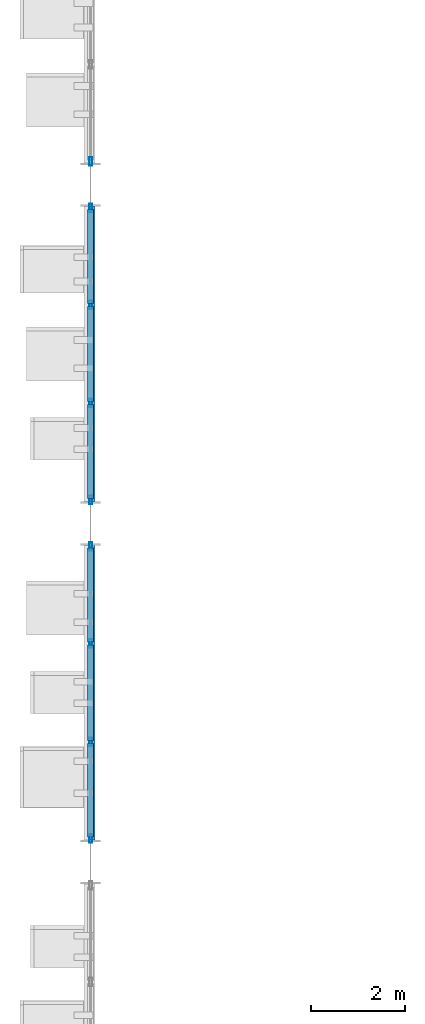
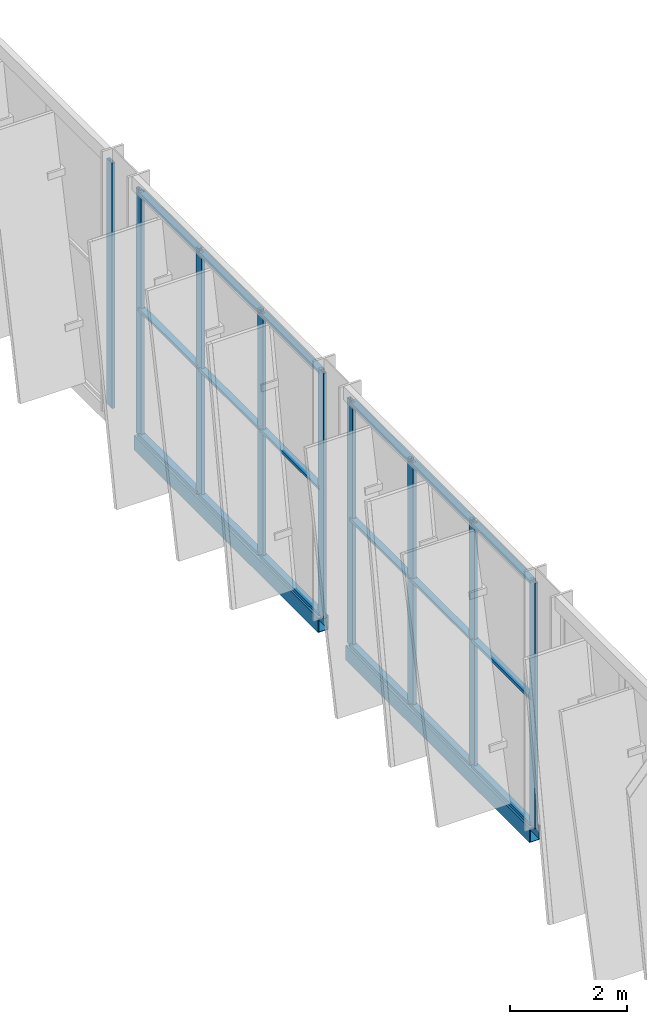
# One storey, part 33 of 189: 27 members, 2 beams, 3 elements without a shape of their own.
"""IFC4 building model written with IfcOpenShell, lengths in metres."""

from ifc_helpers import new_model, si_unit, direction, frame, origin, origin_2d, place, context, subcontext, project, spatial, hollow_rectangle, extrude, material, layer, layer_set, material_profile, profile_set, type_object, element, aggregate, save


model = new_model("IFC4")

# Units and contexts
model_context = context("Model", 3, precision=1e-05, world=origin(), true_north=direction((0.0, 1.0)))
body_context = subcontext(model_context, "Body", "Model", "MODEL_VIEW")
ifc_project = project(units=[si_unit("LENGTHUNIT", "METRE"), si_unit("AREAUNIT", "SQUARE_METRE"), si_unit("VOLUMEUNIT", "CUBIC_METRE"), si_unit("PLANEANGLEUNIT", "RADIAN"), si_unit("MASSUNIT", "GRAM", prefix="KILO")], contexts=[model_context])

# Site, building, storey
site_placement = place(None, origin())
site = spatial("IfcSite", under=ifc_project, at=site_placement, CompositionType="ELEMENT")
building_placement = place(site_placement, origin())
building = spatial("IfcBuilding", under=site, at=building_placement, Name="Celestram Park Convention Centre", CompositionType="ELEMENT")
storey_placement = place(building_placement, frame((0.0, 0.0, 5.39990234375)))
storey = spatial("IfcBuildingStorey", under=building, at=storey_placement, Name="L01", CompositionType="ELEMENT", Elevation=5.39990234375)

# Curtain wall, members
ifc_material_1 = material(Name="Anodised Aluminium Alloy 6063-T6", Category="aluminium")
ifc_layer = layer(ifc_material_1, 0.179931640625)
ifc_layer_set = layer_set([ifc_layer], Name="Anodised Aluminium Alloy 6063-T6")
curtain_wall_type = type_object("IfcCurtainWallType", Name="ARC-CW-627X510", PredefinedType="NOTDEFINED", material=ifc_layer_set)
curtain_wall_1_placement = place(storey_placement, origin())
curtain_wall_1 = element("IfcCurtainWall", 1, at=curtain_wall_1_placement, inside=storey, type_object=curtain_wall_type, Name="Unitised curtain wall CU-L01-120", PredefinedType="NOTDEFINED")
ifc_material_profile_1 = material_profile(ifc_material_1, hollow_rectangle(XDim=0.06494140625, YDim=0.179931640625, WallThickness=0.00390625, at=origin_2d()), Name="ALU65X180X4")
ifc_profile_set_1 = profile_set([ifc_material_profile_1], Name="Anodised Aluminium Alloy 6063-T6")
member_type_1 = type_object("IfcMemberType", Name="ARC-CWM-150", PredefinedType="MULLION", material=ifc_profile_set_1)
member_1_placement = place(storey_placement, frame((0.0, 79.696533203125, 0.0), z_axis=(0.0, 0.0, 1.0), x_axis=(-1.0, 0.0, 0.0)))
member_1 = element("IfcMember", 2, at=member_1_placement, type_object=member_type_1, Name="CW-62X51 mullion 1", PredefinedType="MULLION", context=body_context, shape_type="SweptSolid", body=[
    extrude(hollow_rectangle(XDim=0.06494140625, YDim=0.179931640625, WallThickness=0.00390625, at=origin_2d()), origin(), (0.0, 0.0, 1.0), 5.10009765625),
])
member_2_placement = place(storey_placement, frame((0.0, 81.754638671875, 0.0), z_axis=(0.0, 0.0, 1.0), x_axis=(-1.0, 0.0, 0.0)))
member_2 = element("IfcMember", 3, at=member_2_placement, type_object=member_type_1, Name="CW-62X51 mullion 2", PredefinedType="MULLION", context=body_context, shape_type="SweptSolid", body=[
    extrude(hollow_rectangle(XDim=0.06494140625, YDim=0.179931640625, WallThickness=0.00390625, at=origin_2d()), origin(), (0.0, 0.0, 1.0), 5.10009765625),
])
member_3_placement = place(storey_placement, frame((0.0, 83.84521484375, 0.0), z_axis=(0.0, 0.0, 1.0), x_axis=(-1.0, 0.0, 0.0)))
member_3 = element("IfcMember", 4, at=member_3_placement, type_object=member_type_1, Name="CW-62X51 mullion 3", PredefinedType="MULLION", context=body_context, shape_type="SweptSolid", body=[
    extrude(hollow_rectangle(XDim=0.06494140625, YDim=0.179931640625, WallThickness=0.00390625, at=origin_2d()), origin(), (0.0, 0.0, 1.0), 5.10009765625),
])
member_4_placement = place(storey_placement, frame((0.0, 85.903564453125, 0.0), z_axis=(0.0, 0.0, 1.0), x_axis=(-1.0, 0.0, 0.0)))
member_4 = element("IfcMember", 5, at=member_4_placement, type_object=member_type_1, Name="CW-62X51 mullion 4", PredefinedType="MULLION", context=body_context, shape_type="SweptSolid", body=[
    extrude(hollow_rectangle(XDim=0.06494140625, YDim=0.179931640625, WallThickness=0.00390625, at=origin_2d()), origin(), (0.0, 0.0, 1.0), 5.10009765625),
])

curtain_wall_2_placement = place(storey_placement, origin())
curtain_wall_2 = element("IfcCurtainWall", 6, at=curtain_wall_2_placement, inside=storey, type_object=curtain_wall_type, Name="Unitised curtain wall CU-L01-121", PredefinedType="NOTDEFINED")
member_5_placement = place(storey_placement, frame((0.0, 86.896484375, 0.0), z_axis=(0.0, 0.0, 1.0), x_axis=(-1.0, 0.0, 0.0)))
member_5 = element("IfcMember", 7, at=member_5_placement, type_object=member_type_1, Name="CW-62X51 mullion 1", PredefinedType="MULLION", context=body_context, shape_type="SweptSolid", body=[
    extrude(hollow_rectangle(XDim=0.06494140625, YDim=0.179931640625, WallThickness=0.00390625, at=origin_2d()), origin(), (0.0, 0.0, 1.0), 5.10009765625),
])
member_6_placement = place(storey_placement, frame((0.0, 88.95458984375, 0.0), z_axis=(0.0, 0.0, 1.0), x_axis=(-1.0, 0.0, 0.0)))
member_6 = element("IfcMember", 8, at=member_6_placement, type_object=member_type_1, Name="CW-62X51 mullion 2", PredefinedType="MULLION", context=body_context, shape_type="SweptSolid", body=[
    extrude(hollow_rectangle(XDim=0.06494140625, YDim=0.179931640625, WallThickness=0.00390625, at=origin_2d()), origin(), (0.0, 0.0, 1.0), 5.10009765625),
])
member_7_placement = place(storey_placement, frame((0.0, 91.04541015625, 0.0), z_axis=(0.0, 0.0, 1.0), x_axis=(-1.0, 0.0, 0.0)))
member_7 = element("IfcMember", 9, at=member_7_placement, type_object=member_type_1, Name="CW-62X51 mullion 3", PredefinedType="MULLION", context=body_context, shape_type="SweptSolid", body=[
    extrude(hollow_rectangle(XDim=0.06494140625, YDim=0.179931640625, WallThickness=0.00390625, at=origin_2d()), origin(), (0.0, 0.0, 1.0), 5.10009765625),
])
member_8_placement = place(storey_placement, frame((0.0, 93.103515625, 0.0), z_axis=(0.0, 0.0, 1.0), x_axis=(-1.0, 0.0, 0.0)))
member_8 = element("IfcMember", 10, at=member_8_placement, type_object=member_type_1, Name="CW-62X51 mullion 4", PredefinedType="MULLION", context=body_context, shape_type="SweptSolid", body=[
    extrude(hollow_rectangle(XDim=0.06494140625, YDim=0.179931640625, WallThickness=0.00390625, at=origin_2d()), origin(), (0.0, 0.0, 1.0), 5.10009765625),
])

# Curtain wall, member
curtain_wall_3_placement = place(storey_placement, origin())
curtain_wall_3 = element("IfcCurtainWall", 11, at=curtain_wall_3_placement, inside=storey, type_object=curtain_wall_type, Name="Unitised curtain wall CU-L01-122", PredefinedType="NOTDEFINED")
member_9_placement = place(storey_placement, frame((0.0, 94.096435546875, 0.0), z_axis=(0.0, 0.0, 1.0), x_axis=(-1.0, 0.0, 0.0)))
member_9 = element("IfcMember", 12, at=member_9_placement, type_object=member_type_1, Name="CW-62X51 mullion 1", PredefinedType="MULLION", context=body_context, shape_type="SweptSolid", body=[
    extrude(hollow_rectangle(XDim=0.06494140625, YDim=0.179931640625, WallThickness=0.00390625, at=origin_2d()), origin(), (0.0, 0.0, 1.0), 5.10009765625),
])
aggregate(curtain_wall_3, [member_9])

# Member
ifc_material_profile_2 = material_profile(ifc_material_1, hollow_rectangle(XDim=0.1201171875, YDim=0.06005859375, WallThickness=0.0029296875, at=origin_2d()), Name="ALU120X60X3")
ifc_profile_set_2 = profile_set([ifc_material_profile_2], Name="Anodised Aluminium Alloy 6063-T6")
member_type_2 = type_object("IfcMemberType", Name="ARC-CWT-120", PredefinedType="USERDEFINED", material=ifc_profile_set_2)
member_10_placement = place(storey_placement, frame((0.0, 79.72900390625, 0.030029296875), z_axis=(0.0, 1.0, 0.0), x_axis=(-1.0, 0.0, 0.0)))
member_10 = element("IfcMember", 13, at=member_10_placement, type_object=member_type_2, Name="CW-62X51 transom 1.1", ObjectType="TRANSOM", PredefinedType="USERDEFINED", context=body_context, shape_type="SweptSolid", body=[
    extrude(hollow_rectangle(XDim=0.1201171875, YDim=0.06005859375, WallThickness=0.0029296875, at=origin_2d()), origin(), (0.0, 0.0, 1.0), 1.9931640625),
])

member_11_placement = place(storey_placement, frame((0.0, 79.72900390625, 2.650146484375), z_axis=(0.0, 1.0, 0.0), x_axis=(-1.0, 0.0, 0.0)))
member_11 = element("IfcMember", 14, at=member_11_placement, type_object=member_type_2, Name="CW-62X51 transom 1.2", ObjectType="TRANSOM", PredefinedType="USERDEFINED", context=body_context, shape_type="SweptSolid", body=[
    extrude(hollow_rectangle(XDim=0.1201171875, YDim=0.06005859375, WallThickness=0.0029296875, at=origin_2d()), origin(), (0.0, 0.0, 1.0), 1.9931640625),
])

member_12_placement = place(storey_placement, frame((0.0, 79.72900390625, 5.070068359375), z_axis=(0.0, 1.0, 0.0), x_axis=(-1.0, 0.0, 0.0)))
member_12 = element("IfcMember", 15, at=member_12_placement, type_object=member_type_2, Name="CW-62X51 transom 1.3", ObjectType="TRANSOM", PredefinedType="USERDEFINED", context=body_context, shape_type="SweptSolid", body=[
    extrude(hollow_rectangle(XDim=0.1201171875, YDim=0.06005859375, WallThickness=0.0029296875, at=origin_2d()), origin(), (0.0, 0.0, 1.0), 1.9931640625),
])

member_13_placement = place(storey_placement, frame((0.0, 81.787109375, 0.030029296875), z_axis=(0.0, 1.0, 0.0), x_axis=(-1.0, 0.0, 0.0)))
member_13 = element("IfcMember", 16, at=member_13_placement, type_object=member_type_2, Name="CW-62X51 transom 2.1", ObjectType="TRANSOM", PredefinedType="USERDEFINED", context=body_context, shape_type="SweptSolid", body=[
    extrude(hollow_rectangle(XDim=0.1201171875, YDim=0.06005859375, WallThickness=0.0029296875, at=origin_2d()), origin(), (0.0, 0.0, 1.0), 2.025634765625),
])

member_14_placement = place(storey_placement, frame((0.0, 81.787109375, 2.650146484375), z_axis=(0.0, 1.0, 0.0), x_axis=(-1.0, 0.0, 0.0)))
member_14 = element("IfcMember", 17, at=member_14_placement, type_object=member_type_2, Name="CW-62X51 transom 2.2", ObjectType="TRANSOM", PredefinedType="USERDEFINED", context=body_context, shape_type="SweptSolid", body=[
    extrude(hollow_rectangle(XDim=0.1201171875, YDim=0.06005859375, WallThickness=0.0029296875, at=origin_2d()), origin(), (0.0, 0.0, 1.0), 2.025634765625),
])

member_15_placement = place(storey_placement, frame((0.0, 81.787109375, 5.070068359375), z_axis=(0.0, 1.0, 0.0), x_axis=(-1.0, 0.0, 0.0)))
member_15 = element("IfcMember", 18, at=member_15_placement, type_object=member_type_2, Name="CW-62X51 transom 2.3", ObjectType="TRANSOM", PredefinedType="USERDEFINED", context=body_context, shape_type="SweptSolid", body=[
    extrude(hollow_rectangle(XDim=0.1201171875, YDim=0.06005859375, WallThickness=0.0029296875, at=origin_2d()), origin(), (0.0, 0.0, 1.0), 2.025634765625),
])

member_16_placement = place(storey_placement, frame((0.0, 83.8779296875, 0.030029296875), z_axis=(0.0, 1.0, 0.0), x_axis=(-1.0, 0.0, 0.0)))
member_16 = element("IfcMember", 19, at=member_16_placement, type_object=member_type_2, Name="CW-62X51 transom 3.1", ObjectType="TRANSOM", PredefinedType="USERDEFINED", context=body_context, shape_type="SweptSolid", body=[
    extrude(hollow_rectangle(XDim=0.1201171875, YDim=0.06005859375, WallThickness=0.0029296875, at=origin_2d()), origin(), (0.0, 0.0, 1.0), 1.9931640625),
])

member_17_placement = place(storey_placement, frame((0.0, 83.8779296875, 2.650146484375), z_axis=(0.0, 1.0, 0.0), x_axis=(-1.0, 0.0, 0.0)))
member_17 = element("IfcMember", 20, at=member_17_placement, type_object=member_type_2, Name="CW-62X51 transom 3.2", ObjectType="TRANSOM", PredefinedType="USERDEFINED", context=body_context, shape_type="SweptSolid", body=[
    extrude(hollow_rectangle(XDim=0.1201171875, YDim=0.06005859375, WallThickness=0.0029296875, at=origin_2d()), origin(), (0.0, 0.0, 1.0), 1.9931640625),
])

member_18_placement = place(storey_placement, frame((0.0, 83.8779296875, 5.070068359375), z_axis=(0.0, 1.0, 0.0), x_axis=(-1.0, 0.0, 0.0)))
member_18 = element("IfcMember", 21, at=member_18_placement, type_object=member_type_2, Name="CW-62X51 transom 3.3", ObjectType="TRANSOM", PredefinedType="USERDEFINED", context=body_context, shape_type="SweptSolid", body=[
    extrude(hollow_rectangle(XDim=0.1201171875, YDim=0.06005859375, WallThickness=0.0029296875, at=origin_2d()), origin(), (0.0, 0.0, 1.0), 1.9931640625),
])

aggregate(curtain_wall_1, [member_1, member_2, member_3, member_4, member_10, member_11, member_12, member_13, member_14, member_15, member_16, member_17, member_18])

member_19_placement = place(storey_placement, frame((0.0, 86.928955078125, 0.030029296875), z_axis=(0.0, 1.0, 0.0), x_axis=(-1.0, 0.0, 0.0)))
member_19 = element("IfcMember", 22, at=member_19_placement, type_object=member_type_2, Name="CW-62X51 transom 1.1", ObjectType="TRANSOM", PredefinedType="USERDEFINED", context=body_context, shape_type="SweptSolid", body=[
    extrude(hollow_rectangle(XDim=0.1201171875, YDim=0.06005859375, WallThickness=0.0029296875, at=origin_2d()), origin(), (0.0, 0.0, 1.0), 1.9931640625),
])

member_20_placement = place(storey_placement, frame((0.0, 86.928955078125, 2.650146484375), z_axis=(0.0, 1.0, 0.0), x_axis=(-1.0, 0.0, 0.0)))
member_20 = element("IfcMember", 23, at=member_20_placement, type_object=member_type_2, Name="CW-62X51 transom 1.2", ObjectType="TRANSOM", PredefinedType="USERDEFINED", context=body_context, shape_type="SweptSolid", body=[
    extrude(hollow_rectangle(XDim=0.1201171875, YDim=0.06005859375, WallThickness=0.0029296875, at=origin_2d()), origin(), (0.0, 0.0, 1.0), 1.9931640625),
])

member_21_placement = place(storey_placement, frame((0.0, 86.928955078125, 5.070068359375), z_axis=(0.0, 1.0, 0.0), x_axis=(-1.0, 0.0, 0.0)))
member_21 = element("IfcMember", 24, at=member_21_placement, type_object=member_type_2, Name="CW-62X51 transom 1.3", ObjectType="TRANSOM", PredefinedType="USERDEFINED", context=body_context, shape_type="SweptSolid", body=[
    extrude(hollow_rectangle(XDim=0.1201171875, YDim=0.06005859375, WallThickness=0.0029296875, at=origin_2d()), origin(), (0.0, 0.0, 1.0), 1.9931640625),
])

member_22_placement = place(storey_placement, frame((0.0, 88.987060546875, 0.030029296875), z_axis=(0.0, 1.0, 0.0), x_axis=(-1.0, 0.0, 0.0)))
member_22 = element("IfcMember", 25, at=member_22_placement, type_object=member_type_2, Name="CW-62X51 transom 2.1", ObjectType="TRANSOM", PredefinedType="USERDEFINED", context=body_context, shape_type="SweptSolid", body=[
    extrude(hollow_rectangle(XDim=0.1201171875, YDim=0.06005859375, WallThickness=0.0029296875, at=origin_2d()), origin(), (0.0, 0.0, 1.0), 2.02587890625),
])

member_23_placement = place(storey_placement, frame((0.0, 88.987060546875, 2.650146484375), z_axis=(0.0, 1.0, 0.0), x_axis=(-1.0, 0.0, 0.0)))
member_23 = element("IfcMember", 26, at=member_23_placement, type_object=member_type_2, Name="CW-62X51 transom 2.2", ObjectType="TRANSOM", PredefinedType="USERDEFINED", context=body_context, shape_type="SweptSolid", body=[
    extrude(hollow_rectangle(XDim=0.1201171875, YDim=0.06005859375, WallThickness=0.0029296875, at=origin_2d()), origin(), (0.0, 0.0, 1.0), 2.02587890625),
])

member_24_placement = place(storey_placement, frame((0.0, 88.987060546875, 5.070068359375), z_axis=(0.0, 1.0, 0.0), x_axis=(-1.0, 0.0, 0.0)))
member_24 = element("IfcMember", 27, at=member_24_placement, type_object=member_type_2, Name="CW-62X51 transom 2.3", ObjectType="TRANSOM", PredefinedType="USERDEFINED", context=body_context, shape_type="SweptSolid", body=[
    extrude(hollow_rectangle(XDim=0.1201171875, YDim=0.06005859375, WallThickness=0.0029296875, at=origin_2d()), origin(), (0.0, 0.0, 1.0), 2.02587890625),
])

member_25_placement = place(storey_placement, frame((0.0, 91.077880859375, 0.030029296875), z_axis=(0.0, 1.0, 0.0), x_axis=(-1.0, 0.0, 0.0)))
member_25 = element("IfcMember", 28, at=member_25_placement, type_object=member_type_2, Name="CW-62X51 transom 3.1", ObjectType="TRANSOM", PredefinedType="USERDEFINED", context=body_context, shape_type="SweptSolid", body=[
    extrude(hollow_rectangle(XDim=0.1201171875, YDim=0.06005859375, WallThickness=0.0029296875, at=origin_2d()), origin(), (0.0, 0.0, 1.0), 1.9931640625),
])

member_26_placement = place(storey_placement, frame((0.0, 91.077880859375, 2.650146484375), z_axis=(0.0, 1.0, 0.0), x_axis=(-1.0, 0.0, 0.0)))
member_26 = element("IfcMember", 29, at=member_26_placement, type_object=member_type_2, Name="CW-62X51 transom 3.2", ObjectType="TRANSOM", PredefinedType="USERDEFINED", context=body_context, shape_type="SweptSolid", body=[
    extrude(hollow_rectangle(XDim=0.1201171875, YDim=0.06005859375, WallThickness=0.0029296875, at=origin_2d()), origin(), (0.0, 0.0, 1.0), 1.9931640625),
])

member_27_placement = place(storey_placement, frame((0.0, 91.077880859375, 5.070068359375), z_axis=(0.0, 1.0, 0.0), x_axis=(-1.0, 0.0, 0.0)))
member_27 = element("IfcMember", 30, at=member_27_placement, type_object=member_type_2, Name="CW-62X51 transom 3.3", ObjectType="TRANSOM", PredefinedType="USERDEFINED", context=body_context, shape_type="SweptSolid", body=[
    extrude(hollow_rectangle(XDim=0.1201171875, YDim=0.06005859375, WallThickness=0.0029296875, at=origin_2d()), origin(), (0.0, 0.0, 1.0), 1.9931640625),
])

aggregate(curtain_wall_2, [member_5, member_6, member_7, member_8, member_19, member_20, member_21, member_22, member_23, member_24, member_25, member_26, member_27])

# Beams
ifc_material_2 = material(Name="Steel ASTM A500 Grade C", Category="steel")
ifc_material_profile_3 = material_profile(ifc_material_2, hollow_rectangle(XDim=0.199951171875, YDim=0.300048828125, WallThickness=0.011962890625, at=origin_2d()), Name="HSS300X200X12")
ifc_profile_set_3 = profile_set([ifc_material_profile_3], Name="Steel ASTM A500 Grade C")
beam_type = type_object("IfcBeamType", Name="STR-SPN-HSS300X200", PredefinedType="SPANDREL", material=ifc_profile_set_3)
for number, where, z_axis, x_axis, name in (
    (31, (0.0, 79.6640625, -0.14990234375), (0.0, 1.0, 0.0), (-1.0, 0.0, 0.0), "High-bay perimeter spandrel SPB-L01-009"),
    (32, (0.0, 86.864013671875, -0.14990234375), (0.0, 1.0, 0.0), (-1.0, 0.0, 0.0), "High-bay perimeter spandrel SPB-L01-010"),
):
    element("IfcBeam", number, at=place(storey_placement, frame(where, z_axis=z_axis, x_axis=x_axis)), inside=storey, type_object=beam_type, Name=name, PredefinedType="SPANDREL", context=body_context, shape_type="SweptSolid", body=[
        extrude(hollow_rectangle(XDim=0.199951171875, YDim=0.300048828125, WallThickness=0.011962890625, at=origin_2d()), origin(), (0.0, 0.0, 1.0), 6.27197265625),
    ])

save(model, "model.ifc")
